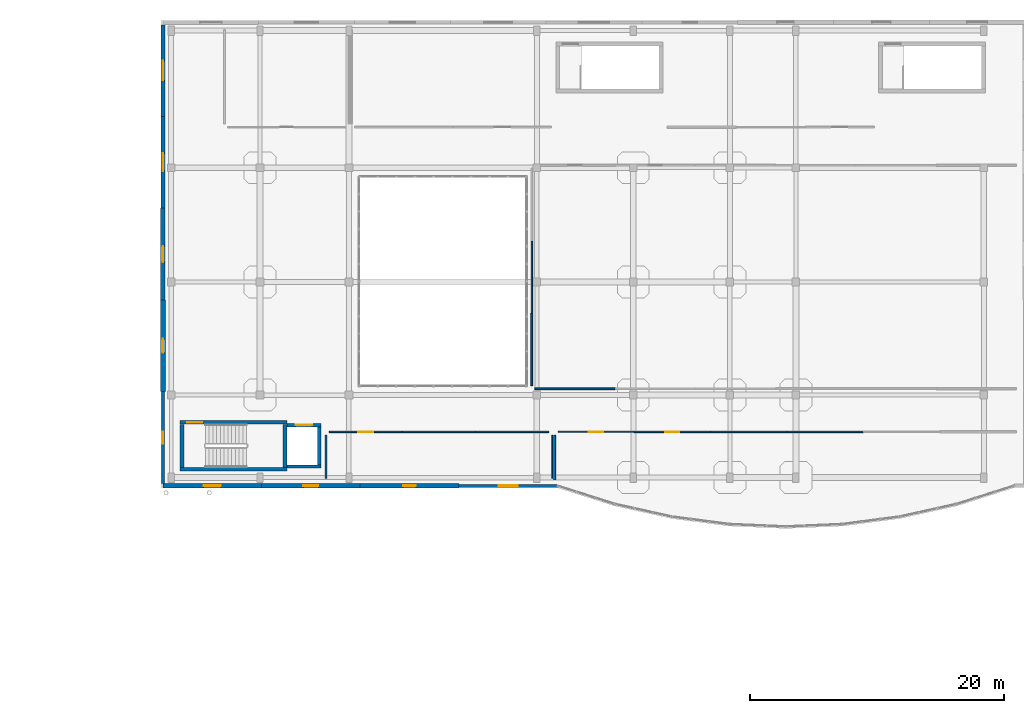
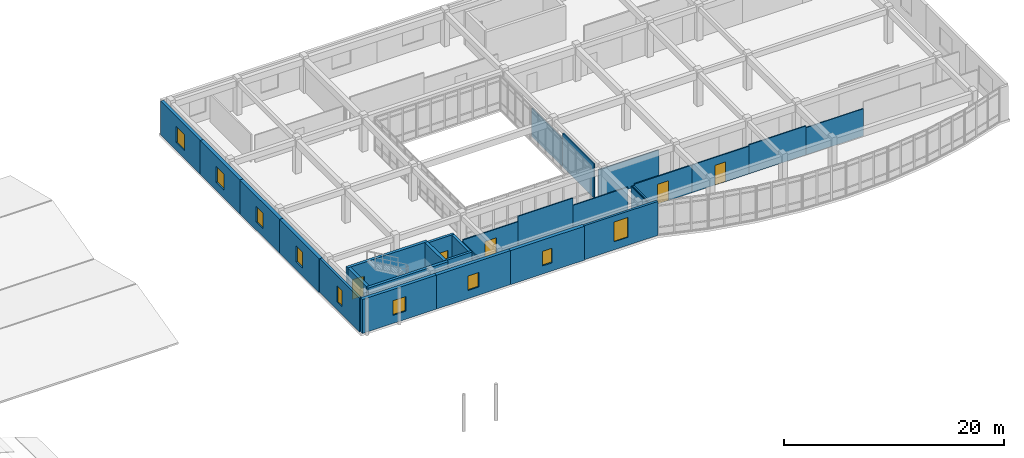
# One storey, part 81 of 91: 29 walls, 9 windows, 5 doors, 14 openings.
"""IFC4 building model written with IfcOpenShell, lengths in metres."""

from ifc_helpers import new_model, si_unit, direction, frame, frame_2d, origin, place, context, subcontext, project, spatial, rectangle, extrude, material, layer, layer_set, type_object, element, fill, save


model = new_model("IFC4")

# Units and contexts
model_context = context("Model", 3, precision=1e-05, world=origin(), true_north=direction((0.0, 1.0)))
body_context = subcontext(model_context, "Body", "Model", "MODEL_VIEW")
ifc_project = project(units=[si_unit("LENGTHUNIT", "METRE"), si_unit("AREAUNIT", "SQUARE_METRE"), si_unit("VOLUMEUNIT", "CUBIC_METRE"), si_unit("PLANEANGLEUNIT", "RADIAN"), si_unit("MASSUNIT", "GRAM", prefix="KILO")], contexts=[model_context])

# Site, building, storey
site_placement = place(None, origin())
site = spatial("IfcSite", under=ifc_project, at=site_placement, CompositionType="ELEMENT")
building_placement = place(site_placement, origin())
building = spatial("IfcBuilding", under=site, at=building_placement, Name="Valcora Specialist Clinic", CompositionType="ELEMENT")
storey_placement = place(building_placement, frame((0.0, 0.0, 13.60009765625)))
storey = spatial("IfcBuildingStorey", under=building, at=storey_placement, Name="L03", CompositionType="ELEMENT", Elevation=13.60009765625)

# Wall
ifc_material_1 = material(Name="Concrete C40/50", Category="concrete")
ifc_layer_1 = layer(ifc_material_1, 0.300048828125)
ifc_layer_set_1 = layer_set([ifc_layer_1], Name="Concrete C40/50")
wall_type_1 = type_object("IfcWallType", Name="TY-WL-CR300", PredefinedType="SHEAR", material=ifc_layer_set_1)
wall_1_placement = place(storey_placement, frame((62.699951171875, 75.449951171875, 0.0), z_axis=(0.0, 0.0, 1.0), x_axis=(1.0, 0.0, 0.0)))
element("IfcWall", 1, at=wall_1_placement, inside=storey, type_object=wall_type_1, Name="Core shear wall WL-CR-C-V4A-L03-S", PredefinedType="SHEAR", context=body_context, shape_type="SweptSolid", body=[
    extrude(rectangle(XDim=8.420166015625, YDim=0.300048828125, at=frame_2d((4.2099609375, 0.0))), origin(), (0.0, 0.0, 1.0), 3.77490234375),
])

# Wall, opening, door
wall_2_placement = place(storey_placement, frame((62.699951171875, 79.14990234375, 0.0), z_axis=(0.0, 0.0, 1.0), x_axis=(1.0, 0.0, 0.0)))
wall_2 = element("IfcWall", 2, at=wall_2_placement, inside=storey, type_object=wall_type_1, Name="Core shear wall WL-CR-C-V4A-L03-N", PredefinedType="SHEAR", context=body_context, shape_type="SweptSolid", body=[
    extrude(rectangle(XDim=8.420166015625, YDim=0.300048828125, at=frame_2d((4.2099609375, 0.0))), origin(), (0.0, 0.0, 1.0), 3.77490234375),
])
opening_1_placement = place(wall_2_placement, frame((0.550048828125, 0.0, 0.0)))
opening_1 = element("IfcOpeningElement", 3, at=opening_1_placement, cuts=wall_2, Name="Opening DR-FD-120", PredefinedType="OPENING", context=body_context, shape_type="SweptSolid", body=[
    extrude(rectangle(XDim=1.199951171875, YDim=2.199951171875, at=frame_2d((0.60009765625, 1.10009765625))), frame((0.0, 0.159912109375, 0.0), z_axis=(0.0, -1.0, 0.0), x_axis=(1.0, 0.0, 0.0)), (0.0, 0.0, 1.0), 0.320068359375),
])
ifc_material_2 = material(Name="Galvanized Hollow Metal Door Steel ASTM A653", Category="steel")
door_type_1 = type_object("IfcDoorType", Name="TY-DR-ST120", OperationType="NOTDEFINED", PredefinedType="DOOR", material=ifc_material_2)
door_1_placement = place(opening_1_placement, origin())
door_1 = element("IfcDoor", 4, at=door_1_placement, inside=storey, type_object=door_type_1, Name="Exit stair fire door C-V4A L03", OperationType="SINGLE_SWING_RIGHT", OverallHeight=2.199951171875, OverallWidth=1.199951171875, PredefinedType="DOOR", context=body_context, shape_type="SweptSolid", body=[
    extrude(rectangle(XDim=1.199951171875, YDim=2.199951171875, at=frame_2d((0.60009765625, 1.10009765625))), frame((0.0, 0.02490234375, 0.0), z_axis=(0.0, -1.0, 0.0), x_axis=(1.0, 0.0, 0.0)), (0.0, 0.0, 1.0), 0.050048828125),
])
fill(opening_1, door_1)

# Walls
wall_3_placement = place(storey_placement, frame((62.85009765625, 75.60205078125, 0.0), z_axis=(0.0, 0.0, 1.0), x_axis=(0.0, 1.0, 0.0)))
element("IfcWall", 5, at=wall_3_placement, inside=storey, type_object=wall_type_1, Name="Core shear wall WL-CR-C-V4A-L03-W", PredefinedType="SHEAR", context=body_context, shape_type="SweptSolid", body=[
    extrude(rectangle(XDim=3.39599609375, YDim=0.300048828125, at=frame_2d((1.697998046875, 0.0))), origin(), (0.0, 0.0, 1.0), 3.77490234375),
])
ifc_layer_2 = layer(ifc_material_1, 0.320068359375)
ifc_layer_set_2 = layer_set([ifc_layer_2], Name="Concrete C40/50")
wall_type_2 = type_object("IfcWallType", Name="TY-WL-CR320", PredefinedType="SHEAR", material=ifc_layer_set_2)
wall_4_placement = place(storey_placement, frame((70.9599609375, 75.60205078125, 0.0), z_axis=(0.0, 0.0, 1.0), x_axis=(0.0, 1.0, 0.0)))
element("IfcWall", 6, at=wall_4_placement, inside=storey, type_object=wall_type_2, Name="Core shear wall WL-CR-C-V4A-L03-E", PredefinedType="SHEAR", context=body_context, shape_type="SweptSolid", body=[
    extrude(rectangle(XDim=3.39599609375, YDim=0.320068359375, at=frame_2d((1.697998046875, 0.0))), origin(), (0.0, 0.0, 1.0), 3.77490234375),
])

# Wall, opening, window
ifc_material_3 = material(Name="Extruded Jalisco Clay Brick Masonry", Category="masonry")
ifc_layer_3 = layer(ifc_material_3, 0.235107421875)
ifc_layer_set_3 = layer_set([ifc_layer_3], Name="Extruded Jalisco Clay Brick Masonry")
wall_type_3 = type_object("IfcWallType", Name="TY-WL-EW235", PredefinedType="SOLIDWALL", material=ifc_layer_set_3)
wall_5_placement = place(storey_placement, frame((61.35009765625, 74.340087890625, 0.0), z_axis=(0.0, 0.0, 1.0), x_axis=(0.0, 1.0, 0.0)))
wall_5 = element("IfcWall", 7, at=wall_5_placement, inside=storey, type_object=wall_type_3, Name="Exterior wall WL-EXT-L03-0200", PredefinedType="SOLIDWALL", context=body_context, shape_type="SweptSolid", body=[
    extrude(rectangle(XDim=7.223876953125, YDim=0.235107421875, at=frame_2d((3.61181640625, 0.0))), origin(), (0.0, 0.0, 1.0), 3.77490234375),
])
opening_2_placement = place(wall_5_placement, frame((3.136962890625, 0.0, 0.89990234375)))
opening_2 = element("IfcOpeningElement", 8, at=opening_2_placement, cuts=wall_5, Name="Opening WN-11", PredefinedType="OPENING", context=body_context, shape_type="SweptSolid", body=[
    extrude(rectangle(XDim=0.949951171875, YDim=1.75, at=frame_2d((0.47509765625, 0.875))), frame((0.0, 0.12744140625, 0.0), z_axis=(0.0, -1.0, 0.0), x_axis=(1.0, 0.0, 0.0)), (0.0, 0.0, 1.0), 0.255126953125),
])
ifc_material_4 = material(Name="Low-E Laminated Insulating Glass", Category="glass")
window_type_1 = type_object("IfcWindowType", Name="TY-WN-11", PartitioningType="SINGLE_PANEL", PredefinedType="WINDOW", material=ifc_material_4)
window_1_placement = place(opening_2_placement, origin())
window_1 = element("IfcWindow", 9, at=window_1_placement, inside=storey, type_object=window_type_1, Name="Facade window WN-L03-0179", OverallHeight=1.75, OverallWidth=0.949951171875, PartitioningType="SINGLE_PANEL", PredefinedType="WINDOW", context=body_context, shape_type="SweptSolid", body=[
    extrude(rectangle(XDim=0.949951171875, YDim=1.75, at=frame_2d((0.47509765625, 0.875))), frame((0.0, 0.030029296875, 0.0), z_axis=(0.0, -1.0, 0.0), x_axis=(1.0, 0.0, 0.0)), (0.0, 0.0, 1.0), 0.06005859375),
])
fill(opening_2, window_1)

wall_6_placement = place(storey_placement, frame((92.42333984375, 74.14990234375, 0.0), z_axis=(0.0, 0.0, 1.0), x_axis=(-1.0, 0.0, 0.0)))
wall_6 = element("IfcWall", 10, at=wall_6_placement, inside=storey, type_object=wall_type_3, Name="Exterior wall WL-EXT-L03-0220", PredefinedType="SOLIDWALL", context=body_context, shape_type="SweptSolid", body=[
    extrude(rectangle(XDim=7.768310546875, YDim=0.235107421875, at=frame_2d((3.88427734375, 0.0))), origin(), (0.0, 0.0, 1.0), 3.77490234375),
])
opening_3_placement = place(wall_6_placement, frame((3.134033203125, 0.0, 0.89990234375)))
opening_3 = element("IfcOpeningElement", 11, at=opening_3_placement, cuts=wall_6, Name="Opening WN-30", PredefinedType="OPENING", context=body_context, shape_type="SweptSolid", body=[
    extrude(rectangle(XDim=1.5, YDim=2.199951171875, at=frame_2d((0.75, 1.10009765625))), frame((0.0, 0.12744140625, 0.0), z_axis=(0.0, -1.0, 0.0), x_axis=(1.0, 0.0, 0.0)), (0.0, 0.0, 1.0), 0.255126953125),
])
window_type_2 = type_object("IfcWindowType", Name="TY-WN-30", PartitioningType="SINGLE_PANEL", PredefinedType="WINDOW", material=ifc_material_4)
window_2_placement = place(opening_3_placement, origin())
window_2 = element("IfcWindow", 12, at=window_2_placement, inside=storey, type_object=window_type_2, Name="Facade window WN-L03-0198", OverallHeight=2.199951171875, OverallWidth=1.5, PartitioningType="SINGLE_PANEL", PredefinedType="WINDOW", context=body_context, shape_type="SweptSolid", body=[
    extrude(rectangle(XDim=1.5, YDim=2.199951171875, at=frame_2d((0.75, 1.10009765625))), frame((0.0, 0.030029296875, 0.0), z_axis=(0.0, -1.0, 0.0), x_axis=(1.0, 0.0, 0.0)), (0.0, 0.0, 1.0), 0.06005859375),
])
fill(opening_3, window_2)

ifc_layer_4 = layer(ifc_material_3, 0.324951171875)
ifc_layer_set_4 = layer_set([ifc_layer_4], Name="Extruded Jalisco Clay Brick Masonry")
wall_type_4 = type_object("IfcWallType", Name="TY-WL-EW325", PredefinedType="SOLIDWALL", material=ifc_layer_set_4)
wall_7_placement = place(storey_placement, frame((61.35009765625, 103.236083984375, 0.0), z_axis=(0.0, 0.0, 1.0), x_axis=(0.0, 1.0, 0.0)))
wall_7 = element("IfcWall", 13, at=wall_7_placement, inside=storey, type_object=wall_type_4, Name="Exterior wall WL-EXT-L03-0204", PredefinedType="SOLIDWALL", context=body_context, shape_type="SweptSolid", body=[
    extrude(rectangle(XDim=7.223876953125, YDim=0.324951171875, at=frame_2d((3.61181640625, 0.0))), origin(), (0.0, 0.0, 1.0), 3.77490234375),
])
opening_4_placement = place(wall_7_placement, frame((2.8369140625, 0.0, 0.89990234375)))
opening_4 = element("IfcOpeningElement", 14, at=opening_4_placement, cuts=wall_7, Name="Opening WN-15", PredefinedType="OPENING", context=body_context, shape_type="SweptSolid", body=[
    extrude(rectangle(XDim=1.550048828125, YDim=1.75, at=frame_2d((0.77490234375, 0.875))), frame((0.0, 0.17236328125, 0.0), z_axis=(0.0, -1.0, 0.0), x_axis=(1.0, 0.0, 0.0)), (0.0, 0.0, 1.0), 0.344970703125),
])
window_type_3 = type_object("IfcWindowType", Name="TY-WN-15", PartitioningType="SINGLE_PANEL", PredefinedType="WINDOW", material=ifc_material_4)
window_3_placement = place(opening_4_placement, origin())
window_3 = element("IfcWindow", 15, at=window_3_placement, inside=storey, type_object=window_type_3, Name="Facade window WN-L03-0183", OverallHeight=1.75, OverallWidth=1.550048828125, PartitioningType="SINGLE_PANEL", PredefinedType="WINDOW", context=body_context, shape_type="SweptSolid", body=[
    extrude(rectangle(XDim=1.550048828125, YDim=1.75, at=frame_2d((0.77490234375, 0.875))), frame((0.0, 0.030029296875, 0.0), z_axis=(0.0, -1.0, 0.0), x_axis=(1.0, 0.0, 0.0)), (0.0, 0.0, 1.0), 0.06005859375),
])
fill(opening_4, window_3)

ifc_layer_5 = layer(ifc_material_3, 0.340087890625)
ifc_layer_set_5 = layer_set([ifc_layer_5], Name="Extruded Jalisco Clay Brick Masonry")
wall_type_5 = type_object("IfcWallType", Name="TY-WL-EW340", PredefinedType="SOLIDWALL", material=ifc_layer_set_5)
wall_8_placement = place(storey_placement, frame((61.35009765625, 96.011962890625, 0.0), z_axis=(0.0, 0.0, 1.0), x_axis=(0.0, 1.0, 0.0)))
wall_8 = element("IfcWall", 16, at=wall_8_placement, inside=storey, type_object=wall_type_5, Name="Exterior wall WL-EXT-L03-0203", PredefinedType="SOLIDWALL", context=body_context, shape_type="SweptSolid", body=[
    extrude(rectangle(XDim=7.22412109375, YDim=0.340087890625, at=frame_2d((3.612060546875, 0.0))), origin(), (0.0, 0.0, 1.0), 3.77490234375),
])
opening_5_placement = place(wall_8_placement, frame((2.912109375, 0.0, 0.89990234375)))
opening_5 = element("IfcOpeningElement", 17, at=opening_5_placement, cuts=wall_8, Name="Opening WN-14", PredefinedType="OPENING", context=body_context, shape_type="SweptSolid", body=[
    extrude(rectangle(XDim=1.39990234375, YDim=1.75, at=frame_2d((0.699951171875, 0.875))), frame((0.0, 0.179931640625, 0.0), z_axis=(0.0, -1.0, 0.0), x_axis=(1.0, 0.0, 0.0)), (0.0, 0.0, 1.0), 0.360107421875),
])
window_type_4 = type_object("IfcWindowType", Name="TY-WN-14", PartitioningType="SINGLE_PANEL", PredefinedType="WINDOW", material=ifc_material_4)
window_4_placement = place(opening_5_placement, origin())
window_4 = element("IfcWindow", 18, at=window_4_placement, inside=storey, type_object=window_type_4, Name="Facade window WN-L03-0182", OverallHeight=1.75, OverallWidth=1.39990234375, PartitioningType="SINGLE_PANEL", PredefinedType="WINDOW", context=body_context, shape_type="SweptSolid", body=[
    extrude(rectangle(XDim=1.39990234375, YDim=1.75, at=frame_2d((0.699951171875, 0.875))), frame((0.0, 0.030029296875, 0.0), z_axis=(0.0, -1.0, 0.0), x_axis=(1.0, 0.0, 0.0)), (0.0, 0.0, 1.0), 0.06005859375),
])
fill(opening_5, window_4)

wall_9_placement = place(storey_placement, frame((69.118408203125, 74.14990234375, 0.0), z_axis=(0.0, 0.0, 1.0), x_axis=(-1.0, 0.0, 0.0)))
wall_9 = element("IfcWall", 19, at=wall_9_placement, inside=storey, type_object=wall_type_5, Name="Exterior wall WL-EXT-L03-0223", PredefinedType="SOLIDWALL", context=body_context, shape_type="SweptSolid", body=[
    extrude(rectangle(XDim=7.768310546875, YDim=0.340087890625, at=frame_2d((3.88427734375, 0.0))), origin(), (0.0, 0.0, 1.0), 3.77490234375),
])
opening_6_placement = place(wall_9_placement, frame((3.2041015625, 0.0, 0.89990234375)))
opening_6 = element("IfcOpeningElement", 20, at=opening_6_placement, cuts=wall_9, Name="Opening WN-33", PredefinedType="OPENING", context=body_context, shape_type="SweptSolid", body=[
    extrude(rectangle(XDim=1.360107421875, YDim=1.6201171875, at=frame_2d((0.68017578125, 0.81005859375))), frame((0.0, 0.179931640625, 0.0), z_axis=(0.0, -1.0, 0.0), x_axis=(1.0, 0.0, 0.0)), (0.0, 0.0, 1.0), 0.360107421875),
])
window_type_5 = type_object("IfcWindowType", Name="TY-WN-33", PartitioningType="SINGLE_PANEL", PredefinedType="WINDOW", material=ifc_material_4)
window_5_placement = place(opening_6_placement, origin())
window_5 = element("IfcWindow", 21, at=window_5_placement, inside=storey, type_object=window_type_5, Name="Facade window WN-L03-0201", OverallHeight=1.6201171875, OverallWidth=1.360107421875, PartitioningType="SINGLE_PANEL", PredefinedType="WINDOW", context=body_context, shape_type="SweptSolid", body=[
    extrude(rectangle(XDim=1.360107421875, YDim=1.6201171875, at=frame_2d((0.68017578125, 0.81005859375))), frame((0.0, 0.030029296875, 0.0), z_axis=(0.0, -1.0, 0.0), x_axis=(1.0, 0.0, 0.0)), (0.0, 0.0, 1.0), 0.06005859375),
])
fill(opening_6, window_5)

ifc_layer_6 = layer(ifc_material_3, 0.35498046875)
ifc_layer_set_6 = layer_set([ifc_layer_6], Name="Extruded Jalisco Clay Brick Masonry")
wall_type_6 = type_object("IfcWallType", Name="TY-WL-EW355", PredefinedType="SOLIDWALL", material=ifc_layer_set_6)
wall_10_placement = place(storey_placement, frame((61.35009765625, 88.7880859375, 0.0), z_axis=(0.0, 0.0, 1.0), x_axis=(0.0, 1.0, 0.0)))
wall_10 = element("IfcWall", 22, at=wall_10_placement, inside=storey, type_object=wall_type_6, Name="Exterior wall WL-EXT-L03-0202", PredefinedType="SOLIDWALL", context=body_context, shape_type="SweptSolid", body=[
    extrude(rectangle(XDim=7.223876953125, YDim=0.35498046875, at=frame_2d((3.61181640625, 0.0))), origin(), (0.0, 0.0, 1.0), 3.77490234375),
])
opening_7_placement = place(wall_10_placement, frame((2.987060546875, 0.0, 0.89990234375)))
opening_7 = element("IfcOpeningElement", 23, at=opening_7_placement, cuts=wall_10, Name="Opening WN-13", PredefinedType="OPENING", context=body_context, shape_type="SweptSolid", body=[
    extrude(rectangle(XDim=1.25, YDim=1.75, at=frame_2d((0.625, 0.875))), frame((0.0, 0.1875, 0.0), z_axis=(0.0, -1.0, 0.0), x_axis=(1.0, 0.0, 0.0)), (0.0, 0.0, 1.0), 0.375),
])
window_type_6 = type_object("IfcWindowType", Name="TY-WN-13", PartitioningType="SINGLE_PANEL", PredefinedType="WINDOW", material=ifc_material_4)
window_6_placement = place(opening_7_placement, origin())
window_6 = element("IfcWindow", 24, at=window_6_placement, inside=storey, type_object=window_type_6, Name="Facade window WN-L03-0181", OverallHeight=1.75, OverallWidth=1.25, PartitioningType="SINGLE_PANEL", PredefinedType="WINDOW", context=body_context, shape_type="SweptSolid", body=[
    extrude(rectangle(XDim=1.25, YDim=1.75, at=frame_2d((0.625, 0.875))), frame((0.0, 0.030029296875, 0.0), z_axis=(0.0, -1.0, 0.0), x_axis=(1.0, 0.0, 0.0)), (0.0, 0.0, 1.0), 0.06005859375),
])
fill(opening_7, window_6)

wall_11_placement = place(storey_placement, frame((76.88671875, 74.14990234375, 0.0), z_axis=(0.0, 0.0, 1.0), x_axis=(-1.0, 0.0, 0.0)))
wall_11 = element("IfcWall", 25, at=wall_11_placement, inside=storey, type_object=wall_type_6, Name="Exterior wall WL-EXT-L03-0222", PredefinedType="SOLIDWALL", context=body_context, shape_type="SweptSolid", body=[
    extrude(rectangle(XDim=7.768310546875, YDim=0.35498046875, at=frame_2d((3.88427734375, 0.0))), origin(), (0.0, 0.0, 1.0), 3.77490234375),
])
opening_8_placement = place(wall_11_placement, frame((3.2939453125, 0.0, 0.89990234375)))
opening_8 = element("IfcOpeningElement", 26, at=opening_8_placement, cuts=wall_11, Name="Opening WN-32", PredefinedType="OPENING", context=body_context, shape_type="SweptSolid", body=[
    extrude(rectangle(XDim=1.179931640625, YDim=1.6201171875, at=frame_2d((0.58984375, 0.81005859375))), frame((0.0, 0.1875, 0.0), z_axis=(0.0, -1.0, 0.0), x_axis=(1.0, 0.0, 0.0)), (0.0, 0.0, 1.0), 0.375),
])
window_type_7 = type_object("IfcWindowType", Name="TY-WN-32", PartitioningType="SINGLE_PANEL", PredefinedType="WINDOW", material=ifc_material_4)
window_7_placement = place(opening_8_placement, origin())
window_7 = element("IfcWindow", 27, at=window_7_placement, inside=storey, type_object=window_type_7, Name="Facade window WN-L03-0200", OverallHeight=1.6201171875, OverallWidth=1.179931640625, PartitioningType="SINGLE_PANEL", PredefinedType="WINDOW", context=body_context, shape_type="SweptSolid", body=[
    extrude(rectangle(XDim=1.179931640625, YDim=1.6201171875, at=frame_2d((0.58984375, 0.81005859375))), frame((0.0, 0.030029296875, 0.0), z_axis=(0.0, -1.0, 0.0), x_axis=(1.0, 0.0, 0.0)), (0.0, 0.0, 1.0), 0.06005859375),
])
fill(opening_8, window_7)

ifc_layer_7 = layer(ifc_material_3, 0.3701171875)
ifc_layer_set_7 = layer_set([ifc_layer_7], Name="Extruded Jalisco Clay Brick Masonry")
wall_type_7 = type_object("IfcWallType", Name="TY-WL-EW370", PredefinedType="SOLIDWALL", material=ifc_layer_set_7)
wall_12_placement = place(storey_placement, frame((61.35009765625, 81.56396484375, 0.0), z_axis=(0.0, 0.0, 1.0), x_axis=(0.0, 1.0, 0.0)))
wall_12 = element("IfcWall", 28, at=wall_12_placement, inside=storey, type_object=wall_type_7, Name="Exterior wall WL-EXT-L03-0201", PredefinedType="SOLIDWALL", context=body_context, shape_type="SweptSolid", body=[
    extrude(rectangle(XDim=7.22412109375, YDim=0.3701171875, at=frame_2d((3.612060546875, 0.0))), origin(), (0.0, 0.0, 1.0), 3.77490234375),
])
opening_9_placement = place(wall_12_placement, frame((3.06201171875, 0.0, 0.89990234375)))
opening_9 = element("IfcOpeningElement", 29, at=opening_9_placement, cuts=wall_12, Name="Opening WN-12", PredefinedType="OPENING", context=body_context, shape_type="SweptSolid", body=[
    extrude(rectangle(XDim=1.10009765625, YDim=1.75, at=frame_2d((0.550048828125, 0.875))), frame((0.0, 0.195068359375, 0.0), z_axis=(0.0, -1.0, 0.0), x_axis=(1.0, 0.0, 0.0)), (0.0, 0.0, 1.0), 0.39013671875),
])
window_type_8 = type_object("IfcWindowType", Name="TY-WN-12", PartitioningType="SINGLE_PANEL", PredefinedType="WINDOW", material=ifc_material_4)
window_8_placement = place(opening_9_placement, origin())
window_8 = element("IfcWindow", 30, at=window_8_placement, inside=storey, type_object=window_type_8, Name="Facade window WN-L03-0180", OverallHeight=1.75, OverallWidth=1.10009765625, PartitioningType="SINGLE_PANEL", PredefinedType="WINDOW", context=body_context, shape_type="SweptSolid", body=[
    extrude(rectangle(XDim=1.10009765625, YDim=1.75, at=frame_2d((0.550048828125, 0.875))), frame((0.0, 0.030029296875, 0.0), z_axis=(0.0, -1.0, 0.0), x_axis=(1.0, 0.0, 0.0)), (0.0, 0.0, 1.0), 0.06005859375),
])
fill(opening_9, window_8)

wall_13_placement = place(storey_placement, frame((84.655029296875, 74.14990234375, 0.0), z_axis=(0.0, 0.0, 1.0), x_axis=(-1.0, 0.0, 0.0)))
wall_13 = element("IfcWall", 31, at=wall_13_placement, inside=storey, type_object=wall_type_7, Name="Exterior wall WL-EXT-L03-0221", PredefinedType="SOLIDWALL", context=body_context, shape_type="SweptSolid", body=[
    extrude(rectangle(XDim=7.768310546875, YDim=0.3701171875, at=frame_2d((3.88427734375, 0.0))), origin(), (0.0, 0.0, 1.0), 3.77490234375),
])
opening_10_placement = place(wall_13_placement, frame((3.384033203125, 0.0, 0.89990234375)))
opening_10 = element("IfcOpeningElement", 32, at=opening_10_placement, cuts=wall_13, Name="Opening WN-31", PredefinedType="OPENING", context=body_context, shape_type="SweptSolid", body=[
    extrude(rectangle(XDim=1.0, YDim=1.6201171875, at=frame_2d((0.5, 0.81005859375))), frame((0.0, 0.195068359375, 0.0), z_axis=(0.0, -1.0, 0.0), x_axis=(1.0, 0.0, 0.0)), (0.0, 0.0, 1.0), 0.39013671875),
])
window_type_9 = type_object("IfcWindowType", Name="TY-WN-31", PartitioningType="SINGLE_PANEL", PredefinedType="WINDOW", material=ifc_material_4)
window_9_placement = place(opening_10_placement, origin())
window_9 = element("IfcWindow", 33, at=window_9_placement, inside=storey, type_object=window_type_9, Name="Facade window WN-L03-0199", OverallHeight=1.6201171875, OverallWidth=1.0, PartitioningType="SINGLE_PANEL", PredefinedType="WINDOW", context=body_context, shape_type="SweptSolid", body=[
    extrude(rectangle(XDim=1.0, YDim=1.6201171875, at=frame_2d((0.5, 0.81005859375))), frame((0.0, 0.030029296875, 0.0), z_axis=(0.0, -1.0, 0.0), x_axis=(1.0, 0.0, 0.0)), (0.0, 0.0, 1.0), 0.06005859375),
])
fill(opening_10, window_9)

# Walls
ifc_material_5 = material(Name="Gypsum Board Partition Assembly")
ifc_layer_8 = layer(ifc_material_5, 0.094970703125)
ifc_layer_set_8 = layer_set([ifc_layer_8], Name="Gypsum Board Partition Assembly")
wall_type_8 = type_object("IfcWallType", Name="TY-WL-PT095", PredefinedType="PARTITIONING", material=ifc_layer_set_8)
wall_14_placement = place(storey_placement, frame((92.0, 78.14990234375, 0.0), z_axis=(0.0, 0.0, 1.0), x_axis=(0.0, -1.0, 0.0)))
element("IfcWall", 34, at=wall_14_placement, inside=storey, type_object=wall_type_8, Name="Interior partition WL-INT-L03-0383", PredefinedType="PARTITIONING", context=body_context, shape_type="SweptSolid", body=[
    extrude(rectangle(XDim=3.39990234375, YDim=0.094970703125, at=frame_2d((1.699951171875, 0.0))), origin(), (0.0, 0.0, 1.0), 3.125),
])
ifc_layer_9 = layer(ifc_material_5, 0.10498046875)
ifc_layer_set_9 = layer_set([ifc_layer_9], Name="Gypsum Board Partition Assembly")
wall_type_9 = type_object("IfcWallType", Name="TY-WL-PT105", PredefinedType="PARTITIONING", material=ifc_layer_set_9)
wall_15_placement = place(storey_placement, frame((85.98291015625, 78.39990234375, 0.0), z_axis=(0.0, 0.0, 1.0), x_axis=(1.0, 0.0, 0.0)))
element("IfcWall", 35, at=wall_15_placement, inside=storey, type_object=wall_type_9, Name="Interior partition WL-INT-L03-0382", PredefinedType="PARTITIONING", context=body_context, shape_type="SweptSolid", body=[
    extrude(rectangle(XDim=5.76708984375, YDim=0.10498046875, at=frame_2d((2.883544921875, 0.0))), origin(), (0.0, 0.0, 1.0), 2.974853515625),
])
wall_16_placement = place(storey_placement, frame((110.5, 78.39990234375, 0.0), z_axis=(0.0, 0.0, 1.0), x_axis=(1.0, 0.0, 0.0)))
element("IfcWall", 36, at=wall_16_placement, inside=storey, type_object=wall_type_9, Name="Interior partition WL-INT-L03-0388", PredefinedType="PARTITIONING", context=body_context, shape_type="SweptSolid", body=[
    extrude(rectangle(XDim=6.01708984375, YDim=0.10498046875, at=frame_2d((3.008544921875, 0.0))), origin(), (0.0, 0.0, 1.0), 3.02490234375),
])
ifc_layer_10 = layer(ifc_material_5, 0.114990234375)
ifc_layer_set_10 = layer_set([ifc_layer_10], Name="Gypsum Board Partition Assembly")
wall_type_10 = type_object("IfcWallType", Name="TY-WL-PT115", PredefinedType="PARTITIONING", material=ifc_layer_set_10)
wall_17_placement = place(storey_placement, frame((80.217041015625, 78.39990234375, 0.0), z_axis=(0.0, 0.0, 1.0), x_axis=(1.0, 0.0, 0.0)))
element("IfcWall", 37, at=wall_17_placement, inside=storey, type_object=wall_type_10, Name="Interior partition WL-INT-L03-0381", PredefinedType="PARTITIONING", context=body_context, shape_type="SweptSolid", body=[
    extrude(rectangle(XDim=5.765869140625, YDim=0.114990234375, at=frame_2d((2.8828125, 0.0))), origin(), (0.0, 0.0, 1.0), 3.77490234375),
])
wall_18_placement = place(storey_placement, frame((104.48291015625, 78.39990234375, 0.0), z_axis=(0.0, 0.0, 1.0), x_axis=(1.0, 0.0, 0.0)))
element("IfcWall", 38, at=wall_18_placement, inside=storey, type_object=wall_type_10, Name="Interior partition WL-INT-L03-0387", PredefinedType="PARTITIONING", context=body_context, shape_type="SweptSolid", body=[
    extrude(rectangle(XDim=6.01708984375, YDim=0.114990234375, at=frame_2d((3.008544921875, 0.0))), origin(), (0.0, 0.0, 1.0), 3.224853515625),
])

# Wall, opening, door
ifc_layer_11 = layer(ifc_material_5, 0.125)
ifc_layer_set_11 = layer_set([ifc_layer_11], Name="Gypsum Board Partition Assembly")
wall_type_11 = type_object("IfcWallType", Name="TY-WL-PT125", PredefinedType="PARTITIONING", material=ifc_layer_set_11)
wall_19_placement = place(storey_placement, frame((74.449951171875, 78.39990234375, 0.0), z_axis=(0.0, 0.0, 1.0), x_axis=(1.0, 0.0, 0.0)))
wall_19 = element("IfcWall", 39, at=wall_19_placement, inside=storey, type_object=wall_type_11, Name="Interior partition WL-INT-L03-0380", PredefinedType="PARTITIONING", context=body_context, shape_type="SweptSolid", body=[
    extrude(rectangle(XDim=5.76708984375, YDim=0.125, at=frame_2d((2.883544921875, 0.0))), origin(), (0.0, 0.0, 1.0), 3.1748046875),
])
opening_11_placement = place(wall_19_placement, frame((2.29296875, 0.0, 0.0)))
opening_11 = element("IfcOpeningElement", 40, at=opening_11_placement, cuts=wall_19, Name="Opening DR-CN-118", PredefinedType="OPENING", context=body_context, shape_type="SweptSolid", body=[
    extrude(rectangle(XDim=1.179931640625, YDim=2.199951171875, at=frame_2d((0.58984375, 1.10009765625))), frame((0.0, 0.072509765625, 0.0), z_axis=(0.0, -1.0, 0.0), x_axis=(1.0, 0.0, 0.0)), (0.0, 0.0, 1.0), 0.14501953125),
])
ifc_material_6 = material(Name="Glulam Conifer Class 24F", Category="wood")
door_type_2 = type_object("IfcDoorType", Name="TY-DR-CN118", OperationType="NOTDEFINED", PredefinedType="DOOR", material=ifc_material_6)
door_2_placement = place(opening_11_placement, origin())
door_2 = element("IfcDoor", 41, at=door_2_placement, inside=storey, type_object=door_type_2, Name="Interior door DR-INT-L03-0107", OperationType="SINGLE_SWING_LEFT", OverallHeight=2.199951171875, OverallWidth=1.179931640625, PredefinedType="DOOR", context=body_context, shape_type="SweptSolid", body=[
    extrude(rectangle(XDim=1.179931640625, YDim=2.199951171875, at=frame_2d((0.58984375, 1.10009765625))), frame((0.0, 0.02490234375, 0.0), z_axis=(0.0, -1.0, 0.0), x_axis=(1.0, 0.0, 0.0)), (0.0, 0.0, 1.0), 0.050048828125),
])
fill(opening_11, door_2)

wall_20_placement = place(storey_placement, frame((98.467041015625, 78.39990234375, 0.0), z_axis=(0.0, 0.0, 1.0), x_axis=(1.0, 0.0, 0.0)))
wall_20 = element("IfcWall", 42, at=wall_20_placement, inside=storey, type_object=wall_type_11, Name="Interior partition WL-INT-L03-0386", PredefinedType="PARTITIONING", context=body_context, shape_type="SweptSolid", body=[
    extrude(rectangle(XDim=6.015869140625, YDim=0.125, at=frame_2d((3.0078125, 0.0))), origin(), (0.0, 0.0, 1.0), 3.074951171875),
])
opening_12_placement = place(wall_20_placement, frame((2.4580078125, 0.0, 0.0)))
opening_12 = element("IfcOpeningElement", 43, at=opening_12_placement, cuts=wall_20, Name="Opening DR-CN-110", PredefinedType="OPENING", context=body_context, shape_type="SweptSolid", body=[
    extrude(rectangle(XDim=1.10009765625, YDim=2.199951171875, at=frame_2d((0.550048828125, 1.10009765625))), frame((0.0, 0.072509765625, 0.0), z_axis=(0.0, -1.0, 0.0), x_axis=(1.0, 0.0, 0.0)), (0.0, 0.0, 1.0), 0.14501953125),
])
door_type_3 = type_object("IfcDoorType", Name="TY-DR-CN110", OperationType="NOTDEFINED", PredefinedType="DOOR", material=ifc_material_6)
door_3_placement = place(opening_12_placement, origin())
door_3 = element("IfcDoor", 44, at=door_3_placement, inside=storey, type_object=door_type_3, Name="Interior door DR-INT-L03-0109", OperationType="SINGLE_SWING_LEFT", OverallHeight=2.199951171875, OverallWidth=1.10009765625, PredefinedType="DOOR", context=body_context, shape_type="SweptSolid", body=[
    extrude(rectangle(XDim=1.10009765625, YDim=2.199951171875, at=frame_2d((0.550048828125, 1.10009765625))), frame((0.0, 0.02490234375, 0.0), z_axis=(0.0, -1.0, 0.0), x_axis=(1.0, 0.0, 0.0)), (0.0, 0.0, 1.0), 0.050048828125),
])
fill(opening_12, door_3)

# Walls
wall_21_placement = place(storey_placement, frame((90.39990234375, 87.75, 0.0), z_axis=(0.0, 0.0, 1.0), x_axis=(0.0, 1.0, 0.0)))
element("IfcWall", 45, at=wall_21_placement, inside=storey, type_object=wall_type_11, Name="Interior partition WL-INT-L03-0404", PredefinedType="PARTITIONING", context=body_context, shape_type="SweptSolid", body=[
    extrude(rectangle(XDim=5.699951171875, YDim=0.125, at=frame_2d((2.85009765625, 0.0))), origin(), (0.0, 0.0, 1.0), 3.074951171875),
])
ifc_layer_12 = layer(ifc_material_5, 0.135009765625)
ifc_layer_set_12 = layer_set([ifc_layer_12], Name="Gypsum Board Partition Assembly")
wall_type_12 = type_object("IfcWallType", Name="TY-WL-PT135", PredefinedType="PARTITIONING", material=ifc_layer_set_12)
wall_22_placement = place(storey_placement, frame((74.199951171875, 74.75, 0.0), z_axis=(0.0, 0.0, 1.0), x_axis=(0.0, 1.0, 0.0)))
element("IfcWall", 46, at=wall_22_placement, inside=storey, type_object=wall_type_12, Name="Interior partition WL-INT-L03-0379", PredefinedType="PARTITIONING", context=body_context, shape_type="SweptSolid", body=[
    extrude(rectangle(XDim=3.39990234375, YDim=0.135009765625, at=frame_2d((1.699951171875, 0.0))), origin(), (0.0, 0.0, 1.0), 3.224853515625),
])

# Wall, opening, door
wall_23_placement = place(storey_placement, frame((92.449951171875, 78.39990234375, 0.0), z_axis=(0.0, 0.0, 1.0), x_axis=(1.0, 0.0, 0.0)))
wall_23 = element("IfcWall", 47, at=wall_23_placement, inside=storey, type_object=wall_type_12, Name="Interior partition WL-INT-L03-0385", PredefinedType="PARTITIONING", context=body_context, shape_type="SweptSolid", body=[
    extrude(rectangle(XDim=6.01708984375, YDim=0.135009765625, at=frame_2d((3.008544921875, 0.0))), origin(), (0.0, 0.0, 1.0), 3.074951171875),
])
opening_13_placement = place(wall_23_placement, frame((2.43798828125, 0.0, 0.0)))
opening_13 = element("IfcOpeningElement", 48, at=opening_13_placement, cuts=wall_23, Name="Opening DR-CN-114", PredefinedType="OPENING", context=body_context, shape_type="SweptSolid", body=[
    extrude(rectangle(XDim=1.139892578125, YDim=2.199951171875, at=frame_2d((0.56982421875, 1.10009765625))), frame((0.0, 0.077392578125, 0.0), z_axis=(0.0, -1.0, 0.0), x_axis=(1.0, 0.0, 0.0)), (0.0, 0.0, 1.0), 0.155029296875),
])
door_type_4 = type_object("IfcDoorType", Name="TY-DR-CN114", OperationType="NOTDEFINED", PredefinedType="DOOR", material=ifc_material_6)
door_4_placement = place(opening_13_placement, origin())
door_4 = element("IfcDoor", 49, at=door_4_placement, inside=storey, type_object=door_type_4, Name="Interior door DR-INT-L03-0108", OperationType="SINGLE_SWING_RIGHT", OverallHeight=2.199951171875, OverallWidth=1.139892578125, PredefinedType="DOOR", context=body_context, shape_type="SweptSolid", body=[
    extrude(rectangle(XDim=1.139892578125, YDim=2.199951171875, at=frame_2d((0.56982421875, 1.10009765625))), frame((0.0, 0.02490234375, 0.0), z_axis=(0.0, -1.0, 0.0), x_axis=(1.0, 0.0, 0.0)), (0.0, 0.0, 1.0), 0.050048828125),
])
fill(opening_13, door_4)

# Walls
wall_24_placement = place(storey_placement, frame((90.39990234375, 82.050048828125, 0.0), z_axis=(0.0, 0.0, 1.0), x_axis=(0.0, 1.0, 0.0)))
element("IfcWall", 50, at=wall_24_placement, inside=storey, type_object=wall_type_12, Name="Interior partition WL-INT-L03-0403", PredefinedType="PARTITIONING", context=body_context, shape_type="SweptSolid", body=[
    extrude(rectangle(XDim=5.699951171875, YDim=0.135009765625, at=frame_2d((2.85009765625, 0.0))), origin(), (0.0, 0.0, 1.0), 3.77490234375),
])
ifc_layer_13 = layer(ifc_material_5, 0.14501953125)
ifc_layer_set_13 = layer_set([ifc_layer_13], Name="Gypsum Board Partition Assembly")
wall_type_13 = type_object("IfcWallType", Name="TY-WL-PT145", PredefinedType="PARTITIONING", material=ifc_layer_set_13)
wall_25_placement = place(storey_placement, frame((92.199951171875, 74.610107421875, 0.0), z_axis=(0.0, 0.0, 1.0), x_axis=(0.0, 1.0, 0.0)))
element("IfcWall", 51, at=wall_25_placement, inside=storey, type_object=wall_type_13, Name="Interior partition WL-INT-L03-0384", PredefinedType="PARTITIONING", context=body_context, shape_type="SweptSolid", body=[
    extrude(rectangle(XDim=3.539794921875, YDim=0.14501953125, at=frame_2d((1.77001953125, 0.0))), origin(), (0.0, 0.0, 1.0), 3.125),
])
wall_26_placement = place(storey_placement, frame((96.967041015625, 81.800048828125, 0.0), z_axis=(0.0, 0.0, 1.0), x_axis=(-1.0, 0.0, 0.0)))
element("IfcWall", 52, at=wall_26_placement, inside=storey, type_object=wall_type_13, Name="Interior partition WL-INT-L03-0402", PredefinedType="PARTITIONING", context=body_context, shape_type="SweptSolid", body=[
    extrude(rectangle(XDim=6.317138671875, YDim=0.14501953125, at=frame_2d((3.15869140625, 0.0))), origin(), (0.0, 0.0, 1.0), 3.224853515625),
])
ifc_layer_14 = layer(ifc_material_1, 0.260009765625)
ifc_layer_set_14 = layer_set([ifc_layer_14], Name="Concrete C40/50")
wall_type_14 = type_object("IfcWallType", Name="TY-WL-SH260", PredefinedType="SHEAR", material=ifc_layer_set_14)
wall_27_placement = place(storey_placement, frame((71.1220703125, 75.669921875, 0.0), z_axis=(0.0, 0.0, 1.0), x_axis=(1.0, 0.0, 0.0)))
element("IfcWall", 53, at=wall_27_placement, inside=storey, type_object=wall_type_14, Name="Lift shaft wall WL-LF-LF-04-L03-LS", PredefinedType="SHEAR", context=body_context, shape_type="SweptSolid", body=[
    extrude(rectangle(XDim=2.657958984375, YDim=0.260009765625, at=frame_2d((1.3291015625, 0.0))), origin(), (0.0, 0.0, 1.0), 3.77490234375),
])

# Wall, opening, door
wall_28_placement = place(storey_placement, frame((71.1220703125, 78.929931640625, 0.0), z_axis=(0.0, 0.0, 1.0), x_axis=(1.0, 0.0, 0.0)))
wall_28 = element("IfcWall", 54, at=wall_28_placement, inside=storey, type_object=wall_type_14, Name="Lift shaft wall WL-LF-LF-04-L03-LN", PredefinedType="SHEAR", context=body_context, shape_type="SweptSolid", body=[
    extrude(rectangle(XDim=2.657958984375, YDim=0.260009765625, at=frame_2d((1.3291015625, 0.0))), origin(), (0.0, 0.0, 1.0), 3.77490234375),
])
opening_14_placement = place(wall_28_placement, frame((0.678955078125, 0.0, 0.0)))
opening_14 = element("IfcOpeningElement", 55, at=opening_14_placement, cuts=wall_28, Name="Opening LD-130", PredefinedType="OPENING", context=body_context, shape_type="SweptSolid", body=[
    extrude(rectangle(XDim=1.300048828125, YDim=2.199951171875, at=frame_2d((0.64990234375, 1.10009765625))), frame((0.0, 0.139892578125, 0.0), z_axis=(0.0, -1.0, 0.0), x_axis=(1.0, 0.0, 0.0)), (0.0, 0.0, 1.0), 0.280029296875),
])
ifc_material_7 = material(Name="Stainless Steel AISI 316", Category="steel")
door_type_5 = type_object("IfcDoorType", Name="TY-LD-130", OperationType="NOTDEFINED", PredefinedType="DOOR", material=ifc_material_7)
door_5_placement = place(opening_14_placement, origin())
door_5 = element("IfcDoor", 56, at=door_5_placement, inside=storey, type_object=door_type_5, Name="Lift landing sliding door LF-04 L03", OperationType="SLIDING_TO_LEFT", OverallHeight=2.199951171875, OverallWidth=1.300048828125, PredefinedType="DOOR", context=body_context, shape_type="SweptSolid", body=[
    extrude(rectangle(XDim=1.300048828125, YDim=2.199951171875, at=frame_2d((0.64990234375, 1.10009765625))), frame((0.0, 0.02490234375, 0.0), z_axis=(0.0, -1.0, 0.0), x_axis=(1.0, 0.0, 0.0)), (0.0, 0.0, 1.0), 0.050048828125),
])
fill(opening_14, door_5)

# Wall
wall_29_placement = place(storey_placement, frame((73.64990234375, 75.802001953125, 0.0), z_axis=(0.0, 0.0, 1.0), x_axis=(0.0, 1.0, 0.0)))
element("IfcWall", 57, at=wall_29_placement, inside=storey, type_object=wall_type_14, Name="Lift shaft wall WL-LF-LF-04-L03-LE", PredefinedType="SHEAR", context=body_context, shape_type="SweptSolid", body=[
    extrude(rectangle(XDim=2.99609375, YDim=0.260009765625, at=frame_2d((1.498046875, 0.0))), origin(), (0.0, 0.0, 1.0), 3.77490234375),
])

save(model, "model.ifc")
